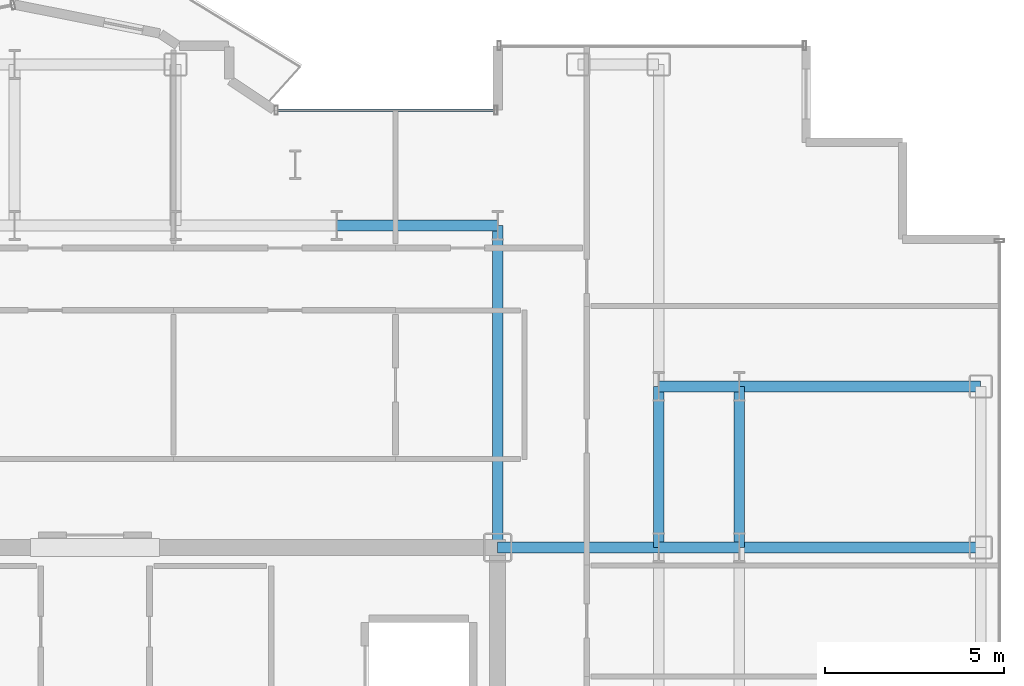
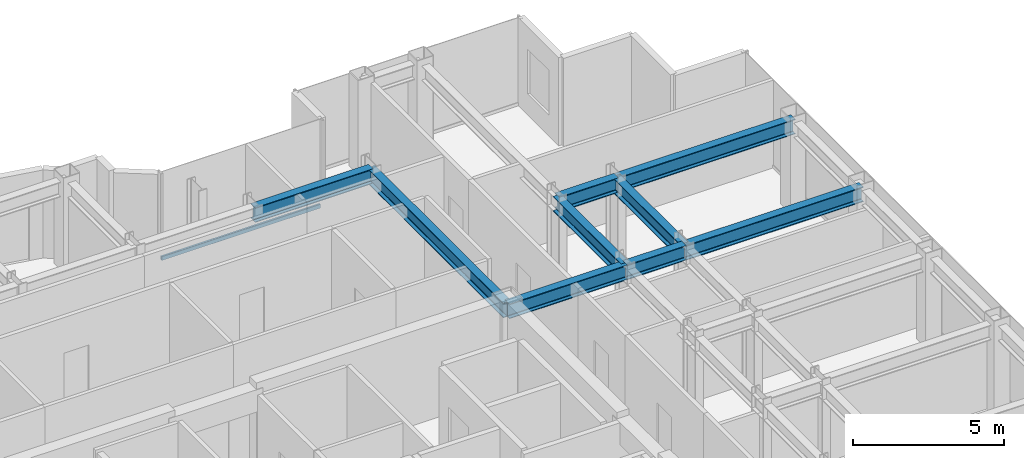
# One storey, part 11 of 21: 9 beams, 1 member, 1 element without a shape of its own.
"""IFC4 building model written with IfcOpenShell, lengths in metres."""

from ifc_helpers import new_model, si_unit, direction, frame, origin, origin_2d, place, context, subcontext, project, spatial, hollow_rectangle, i_section, extrude, source, transform, mapped, material, layer, layer_set, material_profile, profile_set, type_object, element, aggregate, save


model = new_model("IFC4")

# Units and contexts
model_context = context("Model", 3, precision=1e-05, world=origin(), true_north=direction((0.0, 1.0)))
body_context = subcontext(model_context, "Body", "Model", "MODEL_VIEW")
ifc_project = project(units=[si_unit("LENGTHUNIT", "METRE"), si_unit("AREAUNIT", "SQUARE_METRE"), si_unit("VOLUMEUNIT", "CUBIC_METRE"), si_unit("PLANEANGLEUNIT", "RADIAN"), si_unit("MASSUNIT", "GRAM", prefix="KILO")], contexts=[model_context])

# Site, building, storey
site_placement = place(None, origin())
site = spatial("IfcSite", under=ifc_project, at=site_placement, CompositionType="ELEMENT")
building_placement = place(site_placement, origin())
building = spatial("IfcBuilding", under=site, at=building_placement, Name="Nefas-Gora Pilgrimage Tower", CompositionType="ELEMENT")
storey_placement = place(building_placement, frame((0.0, 0.0, 248.39990234375)))
storey = spatial("IfcBuildingStorey", under=building, at=storey_placement, Name="L62", CompositionType="ELEMENT", Elevation=248.39990234375)

# Beams
ifc_material_1 = material(Name="Steel S355", Category="steel")
ifc_material_profile_1 = material_profile(ifc_material_1, i_section(OverallWidth=0.300048828125, OverallDepth=0.60009765625, WebThickness=0.015380859375, FlangeThickness=0.030029296875, FilletRadius=0.027099609375, at=origin_2d()), Name="HEB 600")
ifc_profile_set_1 = profile_set([ifc_material_profile_1], Name="Steel S355")
beam_type = type_object("IfcBeamType", Name="BM-GIR-HEB600", PredefinedType="BEAM", material=ifc_profile_set_1)
shared_shape_1 = source(origin(), body_context, "Body", "SweptSolid", [
    extrude(i_section(OverallWidth=0.300048828125, OverallDepth=0.60009765625, WebThickness=0.015380859375, FlangeThickness=0.030029296875, FilletRadius=0.027099609375, at=origin_2d()), origin(), (0.0, 0.0, 1.0), 9.0),
])
beam_placement = place(storey_placement, frame((11.25, 9.0, 3.25), z_axis=(0.0, 1.0, 0.0), x_axis=(-1.0, 0.0, 0.0)))
element("IfcBeam", 1, at=beam_placement, inside=storey, type_object=beam_type, Name="L62 G-04 beam", PredefinedType="BEAM", context=body_context, shape_type="MappedRepresentation", body=[
    mapped(shared_shape_1, transform((0.0, 0.0, 0.0), x_axis=(1.0, 0.0, 0.0), y_axis=(0.0, 1.0, 0.0), z_axis=(0.0, 0.0, 1.0), scale=1.0)),
])
shared_shape_2 = source(origin(), body_context, "Body", "SweptSolid", [
    extrude(i_section(OverallWidth=0.300048828125, OverallDepth=0.60009765625, WebThickness=0.015380859375, FlangeThickness=0.030029296875, FilletRadius=0.027099609375, at=origin_2d()), origin(), (0.0, 0.0, 1.0), 4.5),
])
for number, where, z_axis, x_axis, name in (
    (2, (6.75, 18.0, 3.25), (1.0, 0.0, 0.0), (0.0, 1.0, 0.0), "L62 G-04 beam"),
    (3, (11.25, 9.0, 3.25), (1.0, 0.0, 0.0), (0.0, 1.0, 0.0), "L62 G-04 beam"),
    (4, (15.75, 9.0, 3.25), (0.0, 1.0, 0.0), (-1.0, 0.0, 0.0), "L62 G-04 beam"),
    (5, (18.0, 9.0, 3.25), (0.0, 1.0, 0.0), (-1.0, 0.0, 0.0), "L62 G-04 beam"),
):
    element("IfcBeam", number, at=place(storey_placement, frame(where, z_axis=z_axis, x_axis=x_axis)), inside=storey, type_object=beam_type, Name=name, PredefinedType="BEAM", context=body_context, shape_type="MappedRepresentation", body=[
        mapped(shared_shape_2, transform((0.0, 0.0, 0.0), x_axis=(1.0, 0.0, 0.0), y_axis=(0.0, 1.0, 0.0), z_axis=(0.0, 0.0, 1.0), scale=1.0)),
    ])
shared_shape_3 = source(origin(), body_context, "Body", "SweptSolid", [
    extrude(i_section(OverallWidth=0.300048828125, OverallDepth=0.60009765625, WebThickness=0.015380859375, FlangeThickness=0.030029296875, FilletRadius=0.027099609375, at=origin_2d()), origin(), (0.0, 0.0, 1.0), 6.75),
])
for number, where, z_axis, x_axis, name in (
    (6, (18.0, 9.0, 3.25), (1.0, 0.0, 0.0), (0.0, 1.0, 0.0), "L62 G-04 beam"),
    (7, (18.0, 13.5, 3.25), (1.0, 0.0, 0.0), (0.0, 1.0, 0.0), "L62 G-04 beam"),
):
    element("IfcBeam", number, at=place(storey_placement, frame(where, z_axis=z_axis, x_axis=x_axis)), inside=storey, type_object=beam_type, Name=name, PredefinedType="BEAM", context=body_context, shape_type="MappedRepresentation", body=[
        mapped(shared_shape_3, transform((0.0, 0.0, 0.0), x_axis=(1.0, 0.0, 0.0), y_axis=(0.0, 1.0, 0.0), z_axis=(0.0, 0.0, 1.0), scale=1.0)),
    ])
shared_shape_4 = source(origin(), body_context, "Body", "SweptSolid", [
    extrude(i_section(OverallWidth=0.300048828125, OverallDepth=0.60009765625, WebThickness=0.015380859375, FlangeThickness=0.030029296875, FilletRadius=0.027099609375, at=origin_2d()), origin(), (0.0, 0.0, 1.0), 2.25),
])
for number, where, z_axis, x_axis, name in (
    (8, (15.75, 9.0, 3.25), (1.0, 0.0, 0.0), (0.0, 1.0, 0.0), "L62 G-04 beam"),
    (9, (15.75, 13.5, 3.25), (1.0, 0.0, 0.0), (0.0, 1.0, 0.0), "L62 G-04 beam"),
):
    element("IfcBeam", number, at=place(storey_placement, frame(where, z_axis=z_axis, x_axis=x_axis)), inside=storey, type_object=beam_type, Name=name, PredefinedType="BEAM", context=body_context, shape_type="MappedRepresentation", body=[
        mapped(shared_shape_4, transform((0.0, 0.0, 0.0), x_axis=(1.0, 0.0, 0.0), y_axis=(0.0, 1.0, 0.0), z_axis=(0.0, 0.0, 1.0), scale=1.0)),
    ])

# Curtain wall, member
ifc_material_2 = material(Name="Dark ceramic-fritted solar-control aluminium-glass curtain wall", Category="aluminium")
ifc_layer = layer(ifc_material_2, 0.219970703125)
ifc_layer_set = layer_set([ifc_layer], Name="Dark ceramic-fritted solar-control aluminium-glass curtain wall")
curtain_wall_type = type_object("IfcCurtainWallType", Name="CW-SYS-5", PredefinedType="NOTDEFINED", material=ifc_layer_set)
curtain_wall_placement = place(storey_placement, origin())
curtain_wall = element("IfcCurtainWall", 10, at=curtain_wall_placement, inside=storey, type_object=curtain_wall_type, Name="L62 Unitised Curtain Wall CW5", PredefinedType="NOTDEFINED")
ifc_material_3 = material(Name="Anodised architectural aluminium", Category="aluminium")
ifc_material_profile_2 = material_profile(ifc_material_3, hollow_rectangle(XDim=0.080078125, YDim=0.159912109375, WallThickness=0.00439453125, InnerFilletRadius=0.00439453125, OuterFilletRadius=0.009033203125, at=origin_2d()), Name="ALU TRANSOM 80x160")
ifc_profile_set_2 = profile_set([ifc_material_profile_2], Name="Anodised architectural aluminium")
member_type = type_object("IfcMemberType", Name="CWM-TRN-5", PredefinedType="USERDEFINED", material=ifc_profile_set_2)
shared_shape_5 = source(origin(), body_context, "Body", "SweptSolid", [
    extrude(hollow_rectangle(XDim=0.080078125, YDim=0.159912109375, WallThickness=0.00439453125, InnerFilletRadius=0.00439453125, OuterFilletRadius=0.009033203125, at=origin_2d()), origin(), (0.0, 0.0, 1.0), 6.052001953125),
])
member_placement = place(storey_placement, frame((11.159912109375, 21.219970703125, 0.050048828125), z_axis=(-1.0, 0.0, 0.0), x_axis=(0.0, -1.0, 0.0)))
member = element("IfcMember", 11, at=member_placement, type_object=member_type, Name="CW5 Spandrel Transom", ObjectType="TRANSOM", PredefinedType="USERDEFINED", context=body_context, shape_type="MappedRepresentation", body=[
    mapped(shared_shape_5, transform((0.0, 0.0, 0.0), x_axis=(1.0, 0.0, 0.0), y_axis=(0.0, 1.0, 0.0), z_axis=(0.0, 0.0, 1.0), scale=1.0)),
])
aggregate(curtain_wall, [member])

save(model, "model.ifc")
